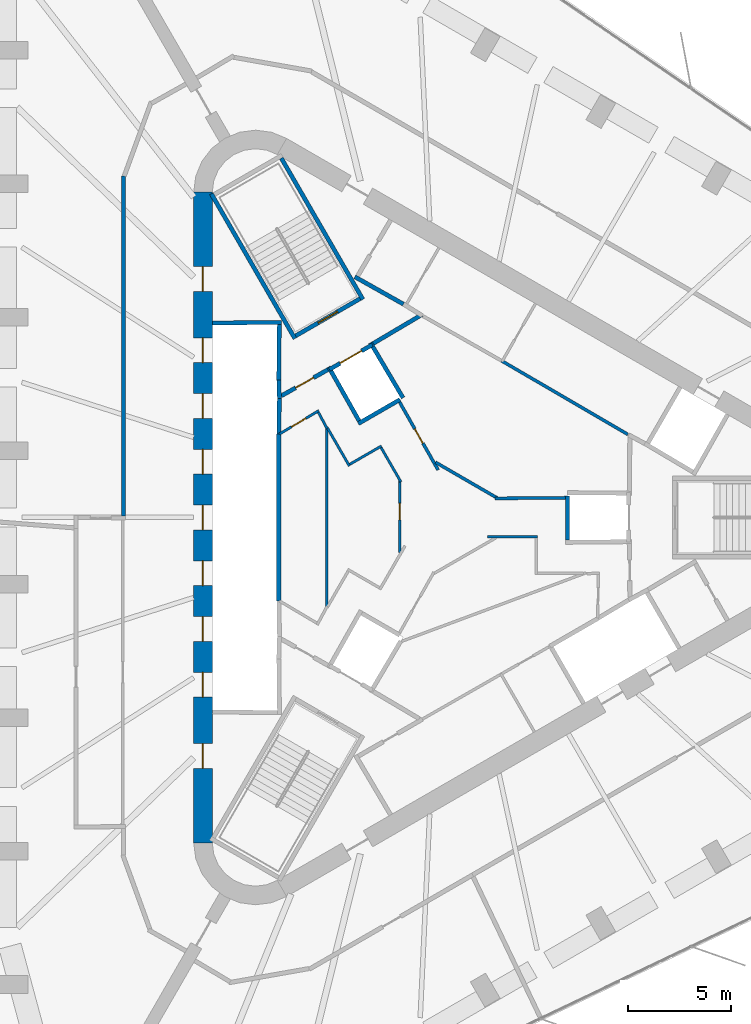
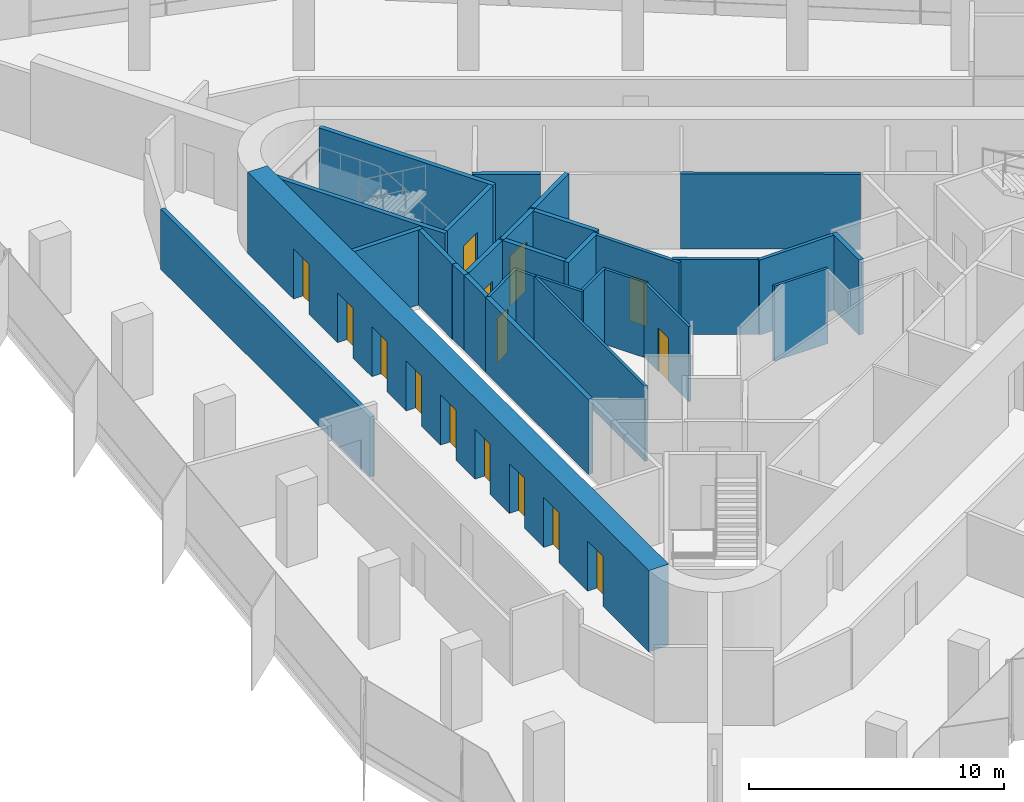
# One storey, part 10 of 14: 30 walls, 15 doors, 15 openings.
"""IFC4 building model written with IfcOpenShell, lengths in metres."""

from ifc_helpers import new_model, si_unit, direction, frame, frame_2d, origin, place, context, subcontext, project, spatial, rectangle, extrude, material, layer, layer_set, type_object, element, fill, save


model = new_model("IFC4")

# Units and contexts
model_context = context("Model", 3, precision=1e-05, world=origin(), true_north=direction((0.0, 1.0)))
body_context = subcontext(model_context, "Body", "Model", "MODEL_VIEW")
ifc_project = project(units=[si_unit("LENGTHUNIT", "METRE"), si_unit("AREAUNIT", "SQUARE_METRE"), si_unit("VOLUMEUNIT", "CUBIC_METRE"), si_unit("PLANEANGLEUNIT", "RADIAN"), si_unit("MASSUNIT", "GRAM", prefix="KILO")], contexts=[model_context])

# Site, building, storey
site_placement = place(None, origin())
site = spatial("IfcSite", under=ifc_project, at=site_placement, CompositionType="ELEMENT")
building_placement = place(site_placement, origin())
building = spatial("IfcBuilding", under=site, at=building_placement, Name="Tanit Gate Tower", CompositionType="ELEMENT")
storey_placement = place(building_placement, frame((0.0, 0.0, 298.699951171875)))
storey = spatial("IfcBuildingStorey", under=building, at=storey_placement, Name="L66", CompositionType="ELEMENT", Elevation=298.699951171875)

# Wall, openings, doors
ifc_material_1 = material(Name="Concrete C40/50", Category="concrete")
ifc_layer_1 = layer(ifc_material_1, 0.89990234375)
ifc_layer_set_1 = layer_set([ifc_layer_1], Name="CORE WALL 900 C40/50")
wall_type_1 = type_object("IfcWallType", Name="CORE WALL 900 C40/50", PredefinedType="SHEAR", material=ifc_layer_set_1)
wall_1_placement = place(storey_placement, frame((-11.64990234375, 15.76171875, 0.0), z_axis=(0.0, 0.0, 1.0), x_axis=(0.0, -1.0, 0.0)))
wall_1 = element("IfcWall", 1, at=wall_1_placement, inside=storey, type_object=wall_type_1, Name="CORE WALL", PredefinedType="SHEAR", context=body_context, shape_type="SweptSolid", body=[
    extrude(rectangle(XDim=31.5234375, YDim=0.89990234375, at=frame_2d((15.76171875, 0.0))), origin(), (0.0, 0.0, 1.0), 3.900146484375),
])
opening_1_placement = place(wall_1_placement, frame((7.061767578125, 0.0, 0.0)))
opening_1 = element("IfcOpeningElement", 2, at=opening_1_placement, cuts=wall_1, Name="Opening LDHL1-S18", PredefinedType="OPENING", context=body_context, shape_type="SweptSolid", body=[
    extrude(rectangle(XDim=1.199951171875, YDim=2.39990234375, at=frame_2d((0.60009765625, 1.199951171875))), frame((0.0, 0.4599609375, 0.0), z_axis=(0.0, -1.0, 0.0), x_axis=(1.0, 0.0, 0.0)), (0.0, 0.0, 1.0), 0.919921875),
])
opening_2_placement = place(wall_1_placement, frame((9.76171875, 0.0, 0.0)))
opening_2 = element("IfcOpeningElement", 3, at=opening_2_placement, cuts=wall_1, Name="Opening LDHL2-S18", PredefinedType="OPENING", context=body_context, shape_type="SweptSolid", body=[
    extrude(rectangle(XDim=1.199951171875, YDim=2.39990234375, at=frame_2d((0.60009765625, 1.199951171875))), frame((0.0, 0.4599609375, 0.0), z_axis=(0.0, -1.0, 0.0), x_axis=(1.0, 0.0, 0.0)), (0.0, 0.0, 1.0), 0.919921875),
])
opening_3_placement = place(wall_1_placement, frame((12.461669921875, 0.0, 0.0)))
opening_3 = element("IfcOpeningElement", 4, at=opening_3_placement, cuts=wall_1, Name="Opening LDHL3-S18", PredefinedType="OPENING", context=body_context, shape_type="SweptSolid", body=[
    extrude(rectangle(XDim=1.199951171875, YDim=2.39990234375, at=frame_2d((0.60009765625, 1.199951171875))), frame((0.0, 0.4599609375, 0.0), z_axis=(0.0, -1.0, 0.0), x_axis=(1.0, 0.0, 0.0)), (0.0, 0.0, 1.0), 0.919921875),
])
opening_4_placement = place(wall_1_placement, frame((15.16162109375, 0.0, 0.0)))
opening_4 = element("IfcOpeningElement", 5, at=opening_4_placement, cuts=wall_1, Name="Opening LDHL4-S18", PredefinedType="OPENING", context=body_context, shape_type="SweptSolid", body=[
    extrude(rectangle(XDim=1.199951171875, YDim=2.39990234375, at=frame_2d((0.60009765625, 1.199951171875))), frame((0.0, 0.4599609375, 0.0), z_axis=(0.0, -1.0, 0.0), x_axis=(1.0, 0.0, 0.0)), (0.0, 0.0, 1.0), 0.919921875),
])
opening_5_placement = place(wall_1_placement, frame((17.86181640625, 0.0, 0.0)))
opening_5 = element("IfcOpeningElement", 6, at=opening_5_placement, cuts=wall_1, Name="Opening LDHL5-S18", PredefinedType="OPENING", context=body_context, shape_type="SweptSolid", body=[
    extrude(rectangle(XDim=1.199951171875, YDim=2.39990234375, at=frame_2d((0.60009765625, 1.199951171875))), frame((0.0, 0.4599609375, 0.0), z_axis=(0.0, -1.0, 0.0), x_axis=(1.0, 0.0, 0.0)), (0.0, 0.0, 1.0), 0.919921875),
])
opening_6_placement = place(wall_1_placement, frame((20.561767578125, 0.0, 0.0)))
opening_6 = element("IfcOpeningElement", 7, at=opening_6_placement, cuts=wall_1, Name="Opening LDHL6-S18", PredefinedType="OPENING", context=body_context, shape_type="SweptSolid", body=[
    extrude(rectangle(XDim=1.199951171875, YDim=2.39990234375, at=frame_2d((0.60009765625, 1.199951171875))), frame((0.0, 0.4599609375, 0.0), z_axis=(0.0, -1.0, 0.0), x_axis=(1.0, 0.0, 0.0)), (0.0, 0.0, 1.0), 0.919921875),
])
opening_7_placement = place(wall_1_placement, frame((23.26171875, 0.0, 0.0)))
opening_7 = element("IfcOpeningElement", 8, at=opening_7_placement, cuts=wall_1, Name="Opening LDHL7-S18", PredefinedType="OPENING", context=body_context, shape_type="SweptSolid", body=[
    extrude(rectangle(XDim=1.199951171875, YDim=2.39990234375, at=frame_2d((0.60009765625, 1.199951171875))), frame((0.0, 0.4599609375, 0.0), z_axis=(0.0, -1.0, 0.0), x_axis=(1.0, 0.0, 0.0)), (0.0, 0.0, 1.0), 0.919921875),
])
opening_8_placement = place(wall_1_placement, frame((3.61181640625, 0.0, 0.0)))
opening_8 = element("IfcOpeningElement", 9, at=opening_8_placement, cuts=wall_1, Name="Opening F12-S18-FL2", PredefinedType="OPENING", context=body_context, shape_type="SweptSolid", body=[
    extrude(rectangle(XDim=1.199951171875, YDim=2.39990234375, at=frame_2d((0.60009765625, 1.199951171875))), frame((0.0, 0.4599609375, 0.0), z_axis=(0.0, -1.0, 0.0), x_axis=(1.0, 0.0, 0.0)), (0.0, 0.0, 1.0), 0.919921875),
])
opening_9_placement = place(wall_1_placement, frame((26.711669921875, 0.0, 0.0)))
opening_9 = element("IfcOpeningElement", 10, at=opening_9_placement, cuts=wall_1, Name="Opening F12-S18-S3", PredefinedType="OPENING", context=body_context, shape_type="SweptSolid", body=[
    extrude(rectangle(XDim=1.199951171875, YDim=2.39990234375, at=frame_2d((0.60009765625, 1.199951171875))), frame((0.0, 0.4599609375, 0.0), z_axis=(0.0, -1.0, 0.0), x_axis=(1.0, 0.0, 0.0)), (0.0, 0.0, 1.0), 0.919921875),
])
ifc_material_2 = material(Name="Fire-rated steel door leaf", Category="steel")
door_type_1 = type_object("IfcDoorType", Name="INT-DOOR-FIRE-LOBBY-1200", OperationType="NOTDEFINED", PredefinedType="USERDEFINED", material=ifc_material_2)
door_1_placement = place(opening_8_placement, origin())
door_1 = element("IfcDoor", 11, at=door_1_placement, inside=storey, type_object=door_type_1, Name="Door F12-S18-FL2", ObjectType="FIRE DOOR", OperationType="SINGLE_SWING_RIGHT", OverallHeight=2.39990234375, OverallWidth=1.199951171875, PredefinedType="USERDEFINED", context=body_context, shape_type="SweptSolid", body=[
    extrude(rectangle(XDim=1.199951171875, YDim=2.39990234375, at=frame_2d((0.60009765625, 1.199951171875))), frame((0.0, 0.02490234375, 0.0), z_axis=(0.0, -1.0, 0.0), x_axis=(1.0, 0.0, 0.0)), (0.0, 0.0, 1.0), 0.050048828125),
])
fill(opening_8, door_1)
door_2_placement = place(opening_9_placement, origin())
door_2 = element("IfcDoor", 12, at=door_2_placement, inside=storey, type_object=door_type_1, Name="Door F12-S18-S3", ObjectType="FIRE DOOR", OperationType="SINGLE_SWING_LEFT", OverallHeight=2.39990234375, OverallWidth=1.199951171875, PredefinedType="USERDEFINED", context=body_context, shape_type="SweptSolid", body=[
    extrude(rectangle(XDim=1.199951171875, YDim=2.39990234375, at=frame_2d((0.60009765625, 1.199951171875))), frame((0.0, 0.02490234375, 0.0), z_axis=(0.0, -1.0, 0.0), x_axis=(1.0, 0.0, 0.0)), (0.0, 0.0, 1.0), 0.050048828125),
])
fill(opening_9, door_2)
ifc_material_3 = material(Name="Stainless steel sliding door leaf", Category="steel")
door_type_2 = type_object("IfcDoorType", Name="INT-DOOR-LANDING-1200", OperationType="NOTDEFINED", PredefinedType="USERDEFINED", material=ifc_material_3)
door_3_placement = place(opening_1_placement, origin())
door_3 = element("IfcDoor", 13, at=door_3_placement, inside=storey, type_object=door_type_2, Name="Door LDHL1-S18", ObjectType="LANDING DOOR", OperationType="SLIDING_TO_LEFT", OverallHeight=2.39990234375, OverallWidth=1.199951171875, PredefinedType="USERDEFINED", context=body_context, shape_type="SweptSolid", body=[
    extrude(rectangle(XDim=1.199951171875, YDim=2.39990234375, at=frame_2d((0.60009765625, 1.199951171875))), frame((0.0, 0.02490234375, 0.0), z_axis=(0.0, -1.0, 0.0), x_axis=(1.0, 0.0, 0.0)), (0.0, 0.0, 1.0), 0.050048828125),
])
fill(opening_1, door_3)
door_4_placement = place(opening_2_placement, origin())
door_4 = element("IfcDoor", 14, at=door_4_placement, inside=storey, type_object=door_type_2, Name="Door LDHL2-S18", ObjectType="LANDING DOOR", OperationType="SLIDING_TO_LEFT", OverallHeight=2.39990234375, OverallWidth=1.199951171875, PredefinedType="USERDEFINED", context=body_context, shape_type="SweptSolid", body=[
    extrude(rectangle(XDim=1.199951171875, YDim=2.39990234375, at=frame_2d((0.60009765625, 1.199951171875))), frame((0.0, 0.02490234375, 0.0), z_axis=(0.0, -1.0, 0.0), x_axis=(1.0, 0.0, 0.0)), (0.0, 0.0, 1.0), 0.050048828125),
])
fill(opening_2, door_4)
door_5_placement = place(opening_3_placement, origin())
door_5 = element("IfcDoor", 15, at=door_5_placement, inside=storey, type_object=door_type_2, Name="Door LDHL3-S18", ObjectType="LANDING DOOR", OperationType="SLIDING_TO_LEFT", OverallHeight=2.39990234375, OverallWidth=1.199951171875, PredefinedType="USERDEFINED", context=body_context, shape_type="SweptSolid", body=[
    extrude(rectangle(XDim=1.199951171875, YDim=2.39990234375, at=frame_2d((0.60009765625, 1.199951171875))), frame((0.0, 0.02490234375, 0.0), z_axis=(0.0, -1.0, 0.0), x_axis=(1.0, 0.0, 0.0)), (0.0, 0.0, 1.0), 0.050048828125),
])
fill(opening_3, door_5)
door_6_placement = place(opening_4_placement, origin())
door_6 = element("IfcDoor", 16, at=door_6_placement, inside=storey, type_object=door_type_2, Name="Door LDHL4-S18", ObjectType="LANDING DOOR", OperationType="SLIDING_TO_LEFT", OverallHeight=2.39990234375, OverallWidth=1.199951171875, PredefinedType="USERDEFINED", context=body_context, shape_type="SweptSolid", body=[
    extrude(rectangle(XDim=1.199951171875, YDim=2.39990234375, at=frame_2d((0.60009765625, 1.199951171875))), frame((0.0, 0.02490234375, 0.0), z_axis=(0.0, -1.0, 0.0), x_axis=(1.0, 0.0, 0.0)), (0.0, 0.0, 1.0), 0.050048828125),
])
fill(opening_4, door_6)
door_7_placement = place(opening_5_placement, origin())
door_7 = element("IfcDoor", 17, at=door_7_placement, inside=storey, type_object=door_type_2, Name="Door LDHL5-S18", ObjectType="LANDING DOOR", OperationType="SLIDING_TO_LEFT", OverallHeight=2.39990234375, OverallWidth=1.199951171875, PredefinedType="USERDEFINED", context=body_context, shape_type="SweptSolid", body=[
    extrude(rectangle(XDim=1.199951171875, YDim=2.39990234375, at=frame_2d((0.60009765625, 1.199951171875))), frame((0.0, 0.02490234375, 0.0), z_axis=(0.0, -1.0, 0.0), x_axis=(1.0, 0.0, 0.0)), (0.0, 0.0, 1.0), 0.050048828125),
])
fill(opening_5, door_7)
door_8_placement = place(opening_6_placement, origin())
door_8 = element("IfcDoor", 18, at=door_8_placement, inside=storey, type_object=door_type_2, Name="Door LDHL6-S18", ObjectType="LANDING DOOR", OperationType="SLIDING_TO_LEFT", OverallHeight=2.39990234375, OverallWidth=1.199951171875, PredefinedType="USERDEFINED", context=body_context, shape_type="SweptSolid", body=[
    extrude(rectangle(XDim=1.199951171875, YDim=2.39990234375, at=frame_2d((0.60009765625, 1.199951171875))), frame((0.0, 0.02490234375, 0.0), z_axis=(0.0, -1.0, 0.0), x_axis=(1.0, 0.0, 0.0)), (0.0, 0.0, 1.0), 0.050048828125),
])
fill(opening_6, door_8)
door_9_placement = place(opening_7_placement, origin())
door_9 = element("IfcDoor", 19, at=door_9_placement, inside=storey, type_object=door_type_2, Name="Door LDHL7-S18", ObjectType="LANDING DOOR", OperationType="SLIDING_TO_LEFT", OverallHeight=2.39990234375, OverallWidth=1.199951171875, PredefinedType="USERDEFINED", context=body_context, shape_type="SweptSolid", body=[
    extrude(rectangle(XDim=1.199951171875, YDim=2.39990234375, at=frame_2d((0.60009765625, 1.199951171875))), frame((0.0, 0.02490234375, 0.0), z_axis=(0.0, -1.0, 0.0), x_axis=(1.0, 0.0, 0.0)), (0.0, 0.0, 1.0), 0.050048828125),
])
fill(opening_7, door_9)

# Walls
ifc_material_4 = material(Name="Fire-rated gypsum board partition")
ifc_layer_2 = layer(ifc_material_4, 0.199951171875)
ifc_layer_set_2 = layer_set([ifc_layer_2], Name="INT-WALL-COMPARTMENT")
wall_type_2 = type_object("IfcWallType", Name="INT-WALL-COMPARTMENT", PredefinedType="PARTITIONING", material=ifc_layer_set_2)
wall_2_placement = place(storey_placement, frame((-4.296142578125, 11.658935546875, 0.0), z_axis=(0.0, 0.0, 1.0), x_axis=(0.871534483978, -0.490334215854, 0.0)))
element("IfcWall", 20, at=wall_2_placement, inside=storey, type_object=wall_type_2, Name="Wall Compartment W050", PredefinedType="PARTITIONING", context=body_context, shape_type="SweptSolid", body=[
    extrude(rectangle(XDim=2.7001953125, YDim=0.199951171875, at=frame_2d((1.35009765625, 0.0))), origin(), (0.0, 0.0, 1.0), 3.60009765625),
])
wall_3_placement = place(storey_placement, frame((-1.054931640625, 9.818359375, 0.0), z_axis=(0.0, 0.0, 1.0), x_axis=(-0.860591104342, -0.509296525737, 0.0)))
element("IfcWall", 21, at=wall_3_placement, inside=storey, type_object=wall_type_2, Name="Wall Compartment W061", PredefinedType="PARTITIONING", context=body_context, shape_type="SweptSolid", body=[
    extrude(rectangle(XDim=2.7255859375, YDim=0.199951171875, at=frame_2d((1.36279296875, 0.0))), origin(), (0.0, 0.0, 1.0), 3.60009765625),
])

# Wall, opening, door
wall_4_placement = place(storey_placement, frame((-5.600341796875, 7.16015625, 0.0), z_axis=(0.0, 0.0, 1.0), x_axis=(-0.871363259478, -0.490638431059, 0.0)))
wall_4 = element("IfcWall", 22, at=wall_4_placement, inside=storey, type_object=wall_type_2, Name="Wall Compartment W062", PredefinedType="PARTITIONING", context=body_context, shape_type="SweptSolid", body=[
    extrude(rectangle(XDim=2.5810546875, YDim=0.199951171875, at=frame_2d((1.29052734375, 0.0))), origin(), (0.0, 0.0, 1.0), 3.60009765625),
])
opening_10_placement = place(wall_4_placement, frame((0.79052734375, 0.0, 0.0)))
opening_10 = element("IfcOpeningElement", 23, at=opening_10_placement, cuts=wall_4, Name="Opening F10-S18-05", PredefinedType="OPENING", context=body_context, shape_type="SweptSolid", body=[
    extrude(rectangle(XDim=1.0, YDim=2.10009765625, at=frame_2d((0.5, 1.050048828125))), frame((0.0, 0.10986328125, 0.0), z_axis=(0.0, -1.0, 0.0), x_axis=(1.0, 0.0, 0.0)), (0.0, 0.0, 1.0), 0.219970703125),
])
ifc_material_5 = material(Name="Fire-rated steel door leaf", Category="steel")
door_type_3 = type_object("IfcDoorType", Name="INT-DOOR-FIRE-1000", OperationType="NOTDEFINED", PredefinedType="USERDEFINED", material=ifc_material_5)
door_10_placement = place(opening_10_placement, origin())
door_10 = element("IfcDoor", 24, at=door_10_placement, inside=storey, type_object=door_type_3, Name="Door F10-S18-05", ObjectType="FIRE DOOR", OperationType="SINGLE_SWING_RIGHT", OverallHeight=2.10009765625, OverallWidth=1.0, PredefinedType="USERDEFINED", context=body_context, shape_type="SweptSolid", body=[
    extrude(rectangle(XDim=1.0, YDim=2.10009765625, at=frame_2d((0.5, 1.050048828125))), frame((0.0, 0.02490234375, 0.0), z_axis=(0.0, -1.0, 0.0), x_axis=(1.0, 0.0, 0.0)), (0.0, 0.0, 1.0), 0.050048828125),
])
fill(opening_10, door_10)

# Walls
wall_5_placement = place(storey_placement, frame((-15.5, 16.54052734375, 0.0), z_axis=(0.0, 0.0, 1.0), x_axis=(0.0, -1.0, 0.0)))
element("IfcWall", 25, at=wall_5_placement, inside=storey, type_object=wall_type_2, Name="Wall Compartment W096", PredefinedType="PARTITIONING", context=body_context, shape_type="SweptSolid", body=[
    extrude(rectangle(XDim=16.470458984375, YDim=0.199951171875, at=frame_2d((8.2353515625, 0.0))), origin(), (0.0, 0.0, 1.0), 2.880126953125),
])
ifc_material_6 = material(Name="Gypsum board partition")
ifc_layer_3 = layer(ifc_material_6, 0.1201171875)
ifc_layer_set_3 = layer_set([ifc_layer_3], Name="INT-WALL-PARTITION")
wall_type_3 = type_object("IfcWallType", Name="INT-WALL-PARTITION", PredefinedType="PARTITIONING", material=ifc_layer_set_3)
wall_6_placement = place(storey_placement, frame((4.56005859375, -0.925048828125, 0.0), z_axis=(0.0, 0.0, 1.0), x_axis=(-1.0, 0.0, 0.0)))
element("IfcWall", 26, at=wall_6_placement, inside=storey, type_object=wall_type_3, Name="Wall Partition W071", PredefinedType="PARTITIONING", context=body_context, shape_type="SweptSolid", body=[
    extrude(rectangle(XDim=2.438232421875, YDim=0.1201171875, at=frame_2d((1.21923828125, 0.0))), origin(), (0.0, 0.0, 1.0), 3.60009765625),
])
wall_7_placement = place(storey_placement, frame((-5.65087890625, -4.3876953125, 0.0), z_axis=(0.0, 0.0, 1.0), x_axis=(-0.000472563465, 0.999999888342, 0.0)))
element("IfcWall", 27, at=wall_7_placement, inside=storey, type_object=wall_type_3, Name="Wall Partition W076", PredefinedType="PARTITIONING", context=body_context, shape_type="SweptSolid", body=[
    extrude(rectangle(XDim=8.78271484375, YDim=0.1201171875, at=frame_2d((4.391357421875, 0.0))), origin(), (0.0, 0.0, 1.0), 3.60009765625),
])

# Wall, opening, door
wall_8_placement = place(storey_placement, frame((-6.03662109375, 5.17578125, 0.0), z_axis=(0.0, 0.0, 1.0), x_axis=(-0.860106072674, -0.510115225953, 0.0)))
wall_8 = element("IfcWall", 28, at=wall_8_placement, inside=storey, type_object=wall_type_3, Name="Wall Partition W079", PredefinedType="PARTITIONING", context=body_context, shape_type="SweptSolid", body=[
    extrude(rectangle(XDim=2.224609375, YDim=0.1201171875, at=frame_2d((1.1123046875, 0.0))), origin(), (0.0, 0.0, 1.0), 3.60009765625),
])
opening_11_placement = place(wall_8_placement, frame((0.7421875, 0.0, 0.0)))
opening_11 = element("IfcOpeningElement", 29, at=opening_11_placement, cuts=wall_8, Name="Opening R08-S18-13", PredefinedType="OPENING", context=body_context, shape_type="SweptSolid", body=[
    extrude(rectangle(XDim=0.800048828125, YDim=2.10009765625, at=frame_2d((0.39990234375, 1.050048828125))), frame((0.0, 0.070068359375, 0.0), z_axis=(0.0, -1.0, 0.0), x_axis=(1.0, 0.0, 0.0)), (0.0, 0.0, 1.0), 0.14013671875),
])
ifc_material_7 = material(Name="Timber door leaf", Category="wood")
door_type_4 = type_object("IfcDoorType", Name="INT-DOOR-RISER-800", OperationType="NOTDEFINED", PredefinedType="USERDEFINED", material=ifc_material_7)
door_11_placement = place(opening_11_placement, origin())
door_11 = element("IfcDoor", 30, at=door_11_placement, inside=storey, type_object=door_type_4, Name="Door R08-S18-13", ObjectType="FIRE DOOR", OperationType="SINGLE_SWING_RIGHT", OverallHeight=2.10009765625, OverallWidth=0.800048828125, PredefinedType="USERDEFINED", context=body_context, shape_type="SweptSolid", body=[
    extrude(rectangle(XDim=0.800048828125, YDim=2.10009765625, at=frame_2d((0.39990234375, 1.050048828125))), frame((0.0, 0.02490234375, 0.0), z_axis=(0.0, -1.0, 0.0), x_axis=(1.0, 0.0, 0.0)), (0.0, 0.0, 1.0), 0.050048828125),
])
fill(opening_11, door_11)

# Walls
wall_9_placement = place(storey_placement, frame((-5.64013671875, 4.31005859375, 0.0), z_axis=(0.0, 0.0, 1.0), x_axis=(-0.472770828932, 0.88118541937, 0.0)))
element("IfcWall", 31, at=wall_9_placement, inside=storey, type_object=wall_type_3, Name="Wall Partition W080", PredefinedType="PARTITIONING", context=body_context, shape_type="SweptSolid", body=[
    extrude(rectangle(XDim=0.8876953125, YDim=0.1201171875, at=frame_2d((0.44384765625, 0.0))), origin(), (0.0, 0.0, 1.0), 3.60009765625),
])
wall_10_placement = place(storey_placement, frame((-4.558349609375, 2.4951171875, 0.0), z_axis=(0.0, 0.0, 1.0), x_axis=(-0.499986178718, 0.866033383358, 0.0)))
element("IfcWall", 32, at=wall_10_placement, inside=storey, type_object=wall_type_3, Name="Wall Partition W081", PredefinedType="PARTITIONING", context=body_context, shape_type="SweptSolid", body=[
    extrude(rectangle(XDim=2.16357421875, YDim=0.1201171875, at=frame_2d((1.081787109375, 0.0))), origin(), (0.0, 0.0, 1.0), 3.60009765625),
])
wall_11_placement = place(storey_placement, frame((-2.9990234375, 3.464599609375, 0.0), z_axis=(0.0, 0.0, 1.0), x_axis=(-0.866059624469, -0.499940723351, 0.0)))
element("IfcWall", 33, at=wall_11_placement, inside=storey, type_object=wall_type_3, Name="Wall Partition W082", PredefinedType="PARTITIONING", context=body_context, shape_type="SweptSolid", body=[
    extrude(rectangle(XDim=1.775146484375, YDim=0.1201171875, at=frame_2d((0.8876953125, 0.0))), origin(), (0.0, 0.0, 1.0), 3.60009765625),
])
wall_12_placement = place(storey_placement, frame((-2.066162109375, 1.728759765625, 0.0), z_axis=(0.0, 0.0, 1.0), x_axis=(-0.500002807145, 0.866023783073, 0.0)))
element("IfcWall", 34, at=wall_12_placement, inside=storey, type_object=wall_type_3, Name="Wall Partition W083", PredefinedType="PARTITIONING", context=body_context, shape_type="SweptSolid", body=[
    extrude(rectangle(XDim=1.90966796875, YDim=0.1201171875, at=frame_2d((0.954833984375, 0.0))), origin(), (0.0, 0.0, 1.0), 3.60009765625),
])

# Wall, opening, door
wall_13_placement = place(storey_placement, frame((-2.122314453125, -1.7060546875, 0.0), z_axis=(0.0, 0.0, 1.0), x_axis=(0.001253480909, 0.999999214392, 0.0)))
wall_13 = element("IfcWall", 35, at=wall_13_placement, inside=storey, type_object=wall_type_3, Name="Wall Partition W084", PredefinedType="PARTITIONING", context=body_context, shape_type="SweptSolid", body=[
    extrude(rectangle(XDim=3.505859375, YDim=0.1201171875, at=frame_2d((1.7529296875, 0.0))), origin(), (0.0, 0.0, 1.0), 3.60009765625),
])
opening_12_placement = place(wall_13_placement, frame((1.593505859375, 0.0, 0.0)))
opening_12 = element("IfcOpeningElement", 36, at=opening_12_placement, cuts=wall_13, Name="Opening R08-S18-14", PredefinedType="OPENING", context=body_context, shape_type="SweptSolid", body=[
    extrude(rectangle(XDim=0.800048828125, YDim=2.10009765625, at=frame_2d((0.39990234375, 1.050048828125))), frame((0.0, 0.070068359375, 0.0), z_axis=(0.0, -1.0, 0.0), x_axis=(1.0, 0.0, 0.0)), (0.0, 0.0, 1.0), 0.14013671875),
])
door_12_placement = place(opening_12_placement, origin())
door_12 = element("IfcDoor", 37, at=door_12_placement, inside=storey, type_object=door_type_4, Name="Door R08-S18-14", ObjectType="FIRE DOOR", OperationType="SINGLE_SWING_LEFT", OverallHeight=2.10009765625, OverallWidth=0.800048828125, PredefinedType="USERDEFINED", context=body_context, shape_type="SweptSolid", body=[
    extrude(rectangle(XDim=0.800048828125, YDim=2.10009765625, at=frame_2d((0.39990234375, 1.050048828125))), frame((0.0, 0.02490234375, 0.0), z_axis=(0.0, -1.0, 0.0), x_axis=(1.0, 0.0, 0.0)), (0.0, 0.0, 1.0), 0.050048828125),
])
fill(opening_12, door_12)

# Walls
ifc_material_8 = material(Name="Fire-rated gypsum board partition")
ifc_layer_4 = layer(ifc_material_8, 0.14990234375)
ifc_layer_set_4 = layer_set([ifc_layer_4], Name="INT-WALL-RISER")
wall_type_4 = type_object("IfcWallType", Name="INT-WALL-RISER", PredefinedType="PLUMBINGWALL", material=ifc_layer_set_4)
wall_14_placement = place(storey_placement, frame((8.9306640625, 4.0244140625, 0.0), z_axis=(0.0, 0.0, 1.0), x_axis=(-0.863936620311, 0.50360055211, 0.0)))
element("IfcWall", 38, at=wall_14_placement, inside=storey, type_object=wall_type_4, Name="Wall Riser W046", PredefinedType="PLUMBINGWALL", context=body_context, shape_type="SweptSolid", body=[
    extrude(rectangle(XDim=7.072021484375, YDim=0.14990234375, at=frame_2d((3.5361328125, 0.0))), origin(), (0.0, 0.0, 1.0), 3.60009765625),
])
wall_15_placement = place(storey_placement, frame((2.5068359375, 0.923828125, 0.0), z_axis=(0.0, 0.0, 1.0), x_axis=(0.999961473465, 0.008777903278, 0.0)))
element("IfcWall", 39, at=wall_15_placement, inside=storey, type_object=wall_type_4, Name="Wall Riser W065", PredefinedType="PLUMBINGWALL", context=body_context, shape_type="SweptSolid", body=[
    extrude(rectangle(XDim=3.393310546875, YDim=0.14990234375, at=frame_2d((1.69677734375, 0.0))), origin(), (0.0, 0.0, 1.0), 3.60009765625),
])
wall_16_placement = place(storey_placement, frame((-0.38525390625, 2.673095703125, 0.0), z_axis=(0.0, 0.0, 1.0), x_axis=(0.865415028875, -0.501055713266, 0.0)))
element("IfcWall", 40, at=wall_16_placement, inside=storey, type_object=wall_type_4, Name="Wall Riser W066", PredefinedType="PLUMBINGWALL", context=body_context, shape_type="SweptSolid", body=[
    extrude(rectangle(XDim=3.46484375, YDim=0.14990234375, at=frame_2d((1.732421875, 0.0))), origin(), (0.0, 0.0, 1.0), 3.60009765625),
])

# Wall, opening, door
wall_17_placement = place(storey_placement, frame((-2.1240234375, 5.58642578125, 0.0), z_axis=(0.0, 0.0, 1.0), x_axis=(0.493408695398, -0.869797596746, 0.0)))
wall_17 = element("IfcWall", 41, at=wall_17_placement, inside=storey, type_object=wall_type_4, Name="Wall Riser W067", PredefinedType="PLUMBINGWALL", context=body_context, shape_type="SweptSolid", body=[
    extrude(rectangle(XDim=3.7783203125, YDim=0.14990234375, at=frame_2d((1.88916015625, 0.0))), origin(), (0.0, 0.0, 1.0), 3.60009765625),
])
opening_13_placement = place(wall_17_placement, frame((1.4892578125, 0.0, 0.0)))
opening_13 = element("IfcOpeningElement", 42, at=opening_13_placement, cuts=wall_17, Name="Opening R08-S18-10", PredefinedType="OPENING", context=body_context, shape_type="SweptSolid", body=[
    extrude(rectangle(XDim=0.800048828125, YDim=2.10009765625, at=frame_2d((0.39990234375, 1.050048828125))), frame((0.0, 0.0849609375, 0.0), z_axis=(0.0, -1.0, 0.0), x_axis=(1.0, 0.0, 0.0)), (0.0, 0.0, 1.0), 0.169921875),
])
door_13_placement = place(opening_13_placement, origin())
door_13 = element("IfcDoor", 43, at=door_13_placement, inside=storey, type_object=door_type_4, Name="Door R08-S18-10", ObjectType="FIRE DOOR", OperationType="SINGLE_SWING_RIGHT", OverallHeight=2.10009765625, OverallWidth=0.800048828125, PredefinedType="USERDEFINED", context=body_context, shape_type="SweptSolid", body=[
    extrude(rectangle(XDim=0.800048828125, YDim=2.10009765625, at=frame_2d((0.39990234375, 1.050048828125))), frame((0.0, 0.02490234375, 0.0), z_axis=(0.0, -1.0, 0.0), x_axis=(1.0, 0.0, 0.0)), (0.0, 0.0, 1.0), 0.050048828125),
])
fill(opening_13, door_13)

# Walls
ifc_material_9 = material(Name="Gypsum shaft wall system")
ifc_layer_5 = layer(ifc_material_9, 0.199951171875)
ifc_layer_set_5 = layer_set([ifc_layer_5], Name="INT-WALL-SHAFT")
wall_type_5 = type_object("IfcWallType", Name="INT-WALL-SHAFT", PredefinedType="PLUMBINGWALL", material=ifc_layer_set_5)
wall_18_placement = place(storey_placement, frame((-11.199951171875, 9.419921875, 0.0), z_axis=(0.0, 0.0, 1.0), x_axis=(0.999957167047, 0.009255488683, 0.0)))
element("IfcWall", 44, at=wall_18_placement, inside=storey, type_object=wall_type_5, Name="Wall Shaft W001", PredefinedType="PLUMBINGWALL", context=body_context, shape_type="SweptSolid", body=[
    extrude(rectangle(XDim=3.35009765625, YDim=0.199951171875, at=frame_2d((1.675048828125, 0.0))), origin(), (0.0, 0.0, 1.0), 3.60009765625),
])
wall_19_placement = place(storey_placement, frame((-7.951171875, 9.35009765625, 0.0), z_axis=(0.0, 0.0, 1.0), x_axis=(-0.011120469654, -0.999938165666, 0.0)))
element("IfcWall", 45, at=wall_19_placement, inside=storey, type_object=wall_type_5, Name="Wall Shaft W002", PredefinedType="PLUMBINGWALL", context=body_context, shape_type="SweptSolid", body=[
    extrude(rectangle(XDim=2.700439453125, YDim=0.199951171875, at=frame_2d((1.35009765625, 0.0))), origin(), (0.0, 0.0, 1.0), 3.60009765625),
])
wall_20_placement = place(storey_placement, frame((-7.97705078125, 6.650146484375, 0.0), z_axis=(0.0, 0.0, 1.0), x_axis=(0.030861509705, -0.999523670164, 0.0)))
element("IfcWall", 46, at=wall_20_placement, inside=storey, type_object=wall_type_5, Name="Wall Shaft W003", PredefinedType="PLUMBINGWALL", context=body_context, shape_type="SweptSolid", body=[
    extrude(rectangle(XDim=0.878173828125, YDim=0.199951171875, at=frame_2d((0.43896484375, 0.0))), origin(), (0.0, 0.0, 1.0), 3.60009765625),
])
wall_21_placement = place(storey_placement, frame((-7.94921875, 5.894775390625, 0.0), z_axis=(0.0, 0.0, 1.0), x_axis=(-0.012042535896, -0.999927486035, 0.0)))
element("IfcWall", 47, at=wall_21_placement, inside=storey, type_object=wall_type_5, Name="Wall Shaft W004", PredefinedType="PLUMBINGWALL", context=body_context, shape_type="SweptSolid", body=[
    extrude(rectangle(XDim=1.844970703125, YDim=0.199951171875, at=frame_2d((0.92236328125, 0.0))), origin(), (0.0, 0.0, 1.0), 3.60009765625),
])
wall_22_placement = place(storey_placement, frame((-7.97998046875, 4.050048828125, 0.0), z_axis=(0.0, 0.0, 1.0), x_axis=(0.0, -1.0, 0.0)))
element("IfcWall", 48, at=wall_22_placement, inside=storey, type_object=wall_type_5, Name="Wall Shaft W005", PredefinedType="PLUMBINGWALL", context=body_context, shape_type="SweptSolid", body=[
    extrude(rectangle(XDim=8.10009765625, YDim=0.199951171875, at=frame_2d((4.050048828125, 0.0))), origin(), (0.0, 0.0, 1.0), 3.60009765625),
])
wall_23_placement = place(storey_placement, frame((6.0, -1.10009765625, 0.0), z_axis=(0.0, 0.0, 1.0), x_axis=(0.0, 1.0, 0.0)))
element("IfcWall", 49, at=wall_23_placement, inside=storey, type_object=wall_type_5, Name="Wall Shaft W027", PredefinedType="PLUMBINGWALL", context=body_context, shape_type="SweptSolid", body=[
    extrude(rectangle(XDim=2.129638671875, YDim=0.199951171875, at=frame_2d((1.06494140625, 0.0))), origin(), (0.0, 0.0, 1.0), 3.60009765625),
])

# Wall, opening, door
wall_24_placement = place(storey_placement, frame((-5.524169921875, 7.168212890625, 0.0), z_axis=(0.0, 0.0, 1.0), x_axis=(0.866024647952, 0.500001309137, 0.0)))
wall_24 = element("IfcWall", 50, at=wall_24_placement, inside=storey, type_object=wall_type_5, Name="Wall Shaft W032", PredefinedType="PLUMBINGWALL", context=body_context, shape_type="SweptSolid", body=[
    extrude(rectangle(XDim=2.39990234375, YDim=0.199951171875, at=frame_2d((1.199951171875, 0.0))), origin(), (0.0, 0.0, 1.0), 3.60009765625),
])
opening_14_placement = place(wall_24_placement, frame((0.60009765625, 0.0, 0.0)))
opening_14 = element("IfcOpeningElement", 51, at=opening_14_placement, cuts=wall_24, Name="Opening LDFL2-L66", PredefinedType="OPENING", context=body_context, shape_type="SweptSolid", body=[
    extrude(rectangle(XDim=1.199951171875, YDim=2.39990234375, at=frame_2d((0.60009765625, 1.199951171875))), frame((0.0, 0.10986328125, 0.0), z_axis=(0.0, -1.0, 0.0), x_axis=(1.0, 0.0, 0.0)), (0.0, 0.0, 1.0), 0.219970703125),
])
door_14_placement = place(opening_14_placement, origin())
door_14 = element("IfcDoor", 52, at=door_14_placement, inside=storey, type_object=door_type_2, Name="Door LDFL2-L66", ObjectType="LANDING DOOR", OperationType="SLIDING_TO_LEFT", OverallHeight=2.39990234375, OverallWidth=1.199951171875, PredefinedType="USERDEFINED", context=body_context, shape_type="SweptSolid", body=[
    extrude(rectangle(XDim=1.199951171875, YDim=2.39990234375, at=frame_2d((0.60009765625, 1.199951171875))), frame((0.0, 0.02490234375, 0.0), z_axis=(0.0, -1.0, 0.0), x_axis=(1.0, 0.0, 0.0)), (0.0, 0.0, 1.0), 0.050048828125),
])
fill(opening_14, door_14)

# Walls
wall_25_placement = place(storey_placement, frame((-3.53759765625, 8.46533203125, 0.0), z_axis=(0.0, 0.0, 1.0), x_axis=(0.508647062354, -0.860975125052, 0.0)))
element("IfcWall", 53, at=wall_25_placement, inside=storey, type_object=wall_type_5, Name="Wall Shaft W033", PredefinedType="PLUMBINGWALL", context=body_context, shape_type="SweptSolid", body=[
    extrude(rectangle(XDim=3.10009765625, YDim=0.199951171875, at=frame_2d((1.550048828125, 0.0))), origin(), (0.0, 0.0, 1.0), 3.60009765625),
])
wall_26_placement = place(storey_placement, frame((-2.1083984375, 5.7109375, 0.0), z_axis=(0.0, 0.0, 1.0), x_axis=(-0.866009305107, -0.50002788269, 0.0)))
element("IfcWall", 54, at=wall_26_placement, inside=storey, type_object=wall_type_5, Name="Wall Shaft W034", PredefinedType="PLUMBINGWALL", context=body_context, shape_type="SweptSolid", body=[
    extrude(rectangle(XDim=2.329345703125, YDim=0.199951171875, at=frame_2d((1.16455078125, 0.0))), origin(), (0.0, 0.0, 1.0), 3.60009765625),
])
wall_27_placement = place(storey_placement, frame((-5.5625, 7.29638671875, 0.0), z_axis=(0.0, 0.0, 1.0), x_axis=(0.49134651263, -0.870964180966, 0.0)))
element("IfcWall", 55, at=wall_27_placement, inside=storey, type_object=wall_type_5, Name="Wall Shaft W035", PredefinedType="PLUMBINGWALL", context=body_context, shape_type="SweptSolid", body=[
    extrude(rectangle(XDim=3.000244140625, YDim=0.199951171875, at=frame_2d((1.5, 0.0))), origin(), (0.0, 0.0, 1.0), 3.60009765625),
])
ifc_material_10 = material(Name="Concrete C40/50", Category="concrete")
ifc_layer_6 = layer(ifc_material_10, 0.199951171875)
ifc_layer_set_6 = layer_set([ifc_layer_6], Name="INT-WALL-STAIR")
wall_type_6 = type_object("IfcWallType", Name="INT-WALL-STAIR", PredefinedType="SHEAR", material=ifc_layer_set_6)
wall_28_placement = place(storey_placement, frame((-11.245361328125, 15.677734375, -0.300048828125), z_axis=(0.0, 0.0, 1.0), x_axis=(0.499977274689, -0.866038523851, 0.0)))
element("IfcWall", 56, at=wall_28_placement, inside=storey, type_object=wall_type_6, Name="Wall Stair W028", PredefinedType="SHEAR", context=body_context, shape_type="SweptSolid", body=[
    extrude(rectangle(XDim=8.10009765625, YDim=0.199951171875, at=frame_2d((4.050048828125, 0.0))), origin(), (0.0, 0.0, 1.0), 3.900146484375),
])
wall_29_placement = place(storey_placement, frame((-7.8544921875, 17.404541015625, -0.300048828125), z_axis=(0.0, 0.0, 1.0), x_axis=(0.499997992926, -0.866026562566, 0.0)))
element("IfcWall", 57, at=wall_29_placement, inside=storey, type_object=wall_type_6, Name="Wall Stair W030", PredefinedType="SHEAR", context=body_context, shape_type="SweptSolid", body=[
    extrude(rectangle(XDim=7.89990234375, YDim=0.199951171875, at=frame_2d((3.949951171875, 0.0))), origin(), (0.0, 0.0, 1.0), 3.900146484375),
])

# Wall, opening, door
wall_30_placement = place(storey_placement, frame((-7.158935546875, 8.799560546875, -0.300048828125), z_axis=(0.0, 0.0, 1.0), x_axis=(0.866047807691, 0.499961193289, 0.0)))
wall_30 = element("IfcWall", 58, at=wall_30_placement, inside=storey, type_object=wall_type_6, Name="Wall Stair W031", PredefinedType="SHEAR", context=body_context, shape_type="SweptSolid", body=[
    extrude(rectangle(XDim=3.599853515625, YDim=0.199951171875, at=frame_2d((1.7998046875, 0.0))), origin(), (0.0, 0.0, 1.0), 3.900146484375),
])
opening_15_placement = place(wall_30_placement, frame((1.25, 0.0, 0.300048828125)))
opening_15 = element("IfcOpeningElement", 59, at=opening_15_placement, cuts=wall_30, Name="Opening S11-S18-04", PredefinedType="OPENING", context=body_context, shape_type="SweptSolid", body=[
    extrude(rectangle(XDim=1.10009765625, YDim=2.10009765625, at=frame_2d((0.550048828125, 1.050048828125))), frame((0.0, 0.10986328125, 0.0), z_axis=(0.0, -1.0, 0.0), x_axis=(1.0, 0.0, 0.0)), (0.0, 0.0, 1.0), 0.219970703125),
])
ifc_material_11 = material(Name="Timber door leaf", Category="wood")
door_type_5 = type_object("IfcDoorType", Name="INT-DOOR-STAIR-1100", OperationType="NOTDEFINED", PredefinedType="USERDEFINED", material=ifc_material_11)
door_15_placement = place(opening_15_placement, origin())
door_15 = element("IfcDoor", 60, at=door_15_placement, inside=storey, type_object=door_type_5, Name="Door S11-S18-04", ObjectType="FIRE DOOR", OperationType="SINGLE_SWING_LEFT", OverallHeight=2.10009765625, OverallWidth=1.10009765625, PredefinedType="USERDEFINED", context=body_context, shape_type="SweptSolid", body=[
    extrude(rectangle(XDim=1.10009765625, YDim=2.10009765625, at=frame_2d((0.550048828125, 1.050048828125))), frame((0.0, 0.02490234375, 0.0), z_axis=(0.0, -1.0, 0.0), x_axis=(1.0, 0.0, 0.0)), (0.0, 0.0, 1.0), 0.050048828125),
])
fill(opening_15, door_15)

save(model, "model.ifc")
